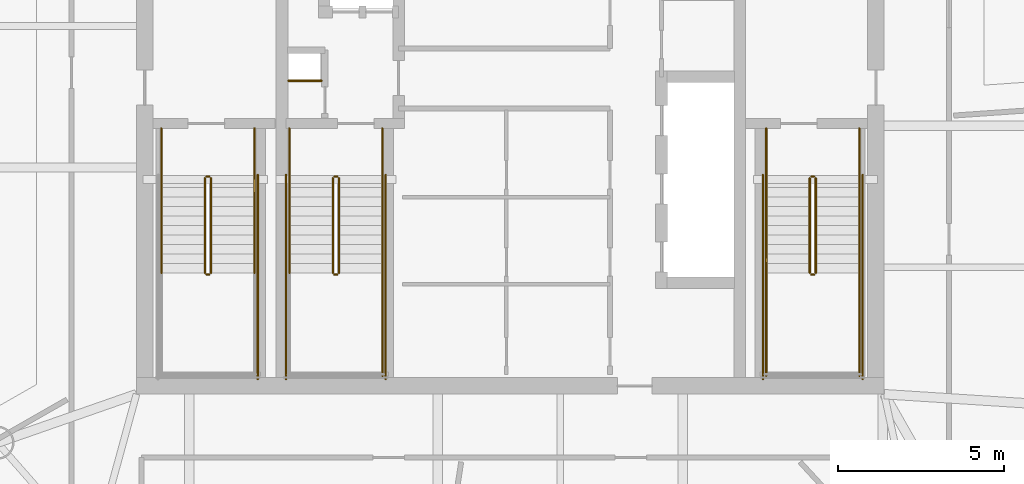
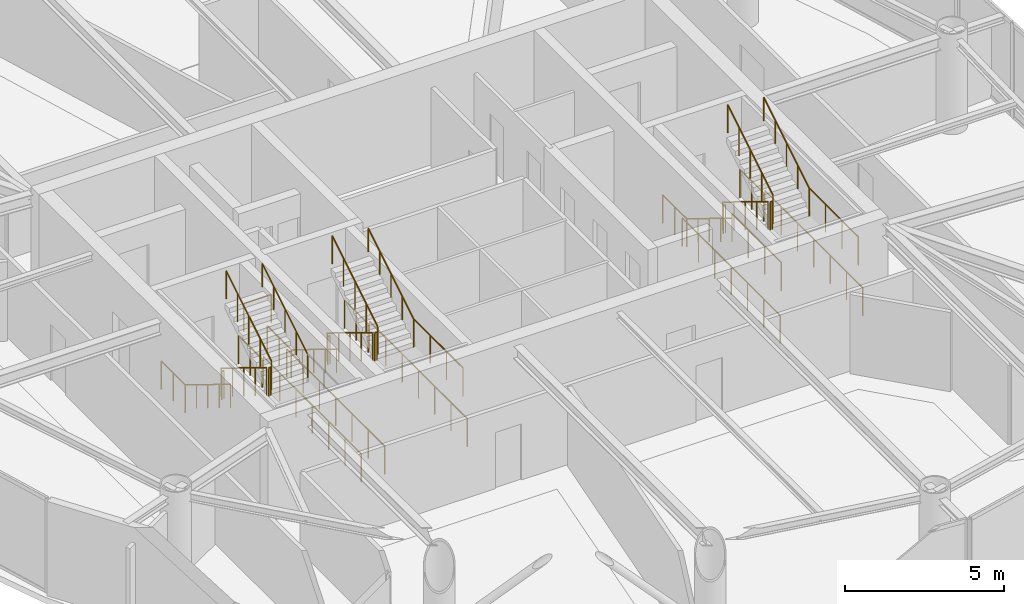
# One storey, part 21 of 23: 33 railings.
"""IFC4 building model written with IfcOpenShell, lengths in metres."""

import ifcopenshell
import ifcopenshell.guid

model = None  # the IFC model being written
_history = None  # IfcOwnerHistory: only IFC2X3 demands one
_inside = {}  # id of a spatial element -> (the spatial element, [elements in it])
_under = {}  # id of a project, library or spatial element -> (it, [spatial elements below it])
_declared = {}  # id of a project -> (the project, [libraries it declares])
_typed = {}  # id of a type object -> (the type object, [elements of that type])
_made_of = {}  # id of a material, layer set ... -> (it, [elements and type objects made of it])


def new_model(schema):
    """Start an empty IFC model of exactly this schema.

    Asked for "IFC4X3", IfcOpenShell would pick the latest addendum, in which some entities
    have other attributes; the version numbers below select the first issue.
    IFC2X3 requires an IfcOwnerHistory on every rooted entity: one is made here for all.
    """
    global model, _history
    if schema == "IFC4X3":
        model = ifcopenshell.file(schema_version=(4, 3, 0, 0))
    else:
        model = ifcopenshell.file(schema=schema)
    _inside.clear()
    _under.clear()
    _declared.clear()
    _typed.clear()
    _made_of.clear()
    _history = None
    if model.schema == "IFC2X3":
        org = make("IfcOrganization", Name="unknown")
        user = make(
            "IfcPersonAndOrganization",
            ThePerson=make("IfcPerson", FamilyName="unknown"),
            TheOrganization=org,
        )
        app = make(
            "IfcApplication",
            ApplicationDeveloper=org,
            Version="unknown",
            ApplicationFullName="unknown",
            ApplicationIdentifier="unknown",
        )
        _history = make(
            "IfcOwnerHistory",
            OwningUser=user,
            OwningApplication=app,
            ChangeAction="ADDED",
            CreationDate=0,
        )
    return model


def make(cls, **values):
    """One entity of the class cls with the attributes given. An attribute that is None is left unset."""
    return model.create_entity(
        cls, **{name: value for name, value in values.items() if value is not None}
    )


def rooted(cls, **values):
    """An entity with a GlobalId (a new one), such as an element, a storey or a relation."""
    return make(cls, GlobalId=ifcopenshell.guid.new(), OwnerHistory=_history, **values)


def si_unit(unit_type, name, prefix=None):
    """IfcSIUnit, for example si_unit("LENGTHUNIT", "METRE", prefix="MILLI")."""
    return make("IfcSIUnit", UnitType=unit_type, Prefix=prefix, Name=name)


def assignment(units):
    """IfcUnitAssignment: the units of a project."""
    return None if units is None else make("IfcUnitAssignment", Units=units)


def point(xyz):
    """IfcCartesianPoint."""
    return None if xyz is None else make("IfcCartesianPoint", Coordinates=xyz)


def direction(xyz):
    """IfcDirection."""
    return None if xyz is None else make("IfcDirection", DirectionRatios=xyz)


def frame(location, z_axis=None, x_axis=None):
    """IfcAxis2Placement3D, a coordinate frame: its origin and axes. An axis left out is left unset."""
    return make(
        "IfcAxis2Placement3D",
        Location=point(location),
        Axis=direction(z_axis),
        RefDirection=direction(x_axis),
    )


def frame_2d(location, x_axis=None):
    """IfcAxis2Placement2D, a coordinate frame in the plane: its origin and x axis."""
    return make(
        "IfcAxis2Placement2D", Location=point(location), RefDirection=direction(x_axis)
    )


def origin():
    """The frame at (0, 0, 0) with its axes left unset."""
    return frame((0.0, 0.0, 0.0))


def origin_2d():
    """The frame at (0, 0) in the plane with its x axis left unset."""
    return frame_2d((0.0, 0.0))


def place(relative_to, where):
    """IfcLocalPlacement: puts the frame where relative to a parent placement (None: the world)."""
    return make(
        "IfcLocalPlacement", PlacementRelTo=relative_to, RelativePlacement=where
    )


def context(
    kind, dimensions, precision=None, world=None, true_north=None, identifier=None
):
    """IfcGeometricRepresentationContext, for example the 3D "Model" context."""
    return make(
        "IfcGeometricRepresentationContext",
        ContextIdentifier=identifier,
        ContextType=kind,
        CoordinateSpaceDimension=dimensions,
        Precision=precision,
        WorldCoordinateSystem=world,
        TrueNorth=true_north,
    )


def subcontext(parent, identifier, kind, view, scale=None):
    """IfcGeometricRepresentationSubContext, for example "Body" below "Model"."""
    return make(
        "IfcGeometricRepresentationSubContext",
        ContextIdentifier=identifier,
        ContextType=kind,
        ParentContext=parent,
        TargetScale=scale,
        TargetView=view,
    )


def project(units=None, contexts=None):
    """IfcProject with its units and contexts."""
    return rooted(
        "IfcProject",
        Name="project",
        RepresentationContexts=contexts,
        UnitsInContext=assignment(units),
    )


def spatial(cls, under=None, at=None, **own):
    """A site, building, storey or space (cls), placed at a placement, below another one or the project."""
    s = rooted(cls, ObjectPlacement=at, **own)
    if under is not None:
        _under.setdefault(under.id(), (under, []))[1].append(s)
    return s


def profile(cls, at=None, kind="AREA", **sizes):
    """A parametric profile (cls). Its sizes go by their IFC names, for example OverallWidth=200.0."""
    return make(cls, ProfileType=kind, Position=at, **sizes)


def circle(**sizes):
    """IfcCircleProfileDef."""
    return profile("IfcCircleProfileDef", **sizes)


def extrude(swept, where, along, depth):
    """IfcExtrudedAreaSolid: the profile swept, set in the frame where, extruded along a direction by depth."""
    return make(
        "IfcExtrudedAreaSolid",
        SweptArea=swept,
        Position=where,
        ExtrudedDirection=direction(along),
        Depth=depth,
    )


def shape(context_of_items, identifier, shape_type, items):
    """IfcShapeRepresentation: the items that make up one representation, for example the "Body"."""
    return make(
        "IfcShapeRepresentation",
        ContextOfItems=context_of_items,
        RepresentationIdentifier=identifier,
        RepresentationType=shape_type,
        Items=items,
    )


def material(Name=None, Category=None):
    """IfcMaterial."""
    return make("IfcMaterial", Name=Name, Category=Category)


def made_of(thing, what):
    """Note that an element or type object is made of a material, layer set ...; save() writes the relation."""
    if what is not None:
        _made_of.setdefault(what.id(), (what, []))[1].append(thing)
    return thing


def type_object(cls, material=None, **own):
    """A type object (cls), such as IfcWallType, which elements share."""
    return made_of(rooted(cls, **own), material)


def element(
    cls,
    number,
    at=None,
    inside=None,
    cuts=None,
    type_object=None,
    material=None,
    context=None,
    identifier="Body",
    shape_type=None,
    held_by="IfcProductDefinitionShape",
    body=None,
    shapes=None,
    **own,
):
    """One element of the class cls, such as IfcWall. Its Tag is "e" and its number.

    at: its placement. inside: the storey or other place that contains it. cuts: it is an
    opening in that element (IfcRelVoidsElement). A single representation is given by context,
    identifier, shape_type and body (its items); several are given by shapes. held_by: the class
    of the entity that holds the representations. save() writes the other relations.
    """
    e = rooted(cls, Tag="e%d" % number, ObjectPlacement=at, **own)
    if body is not None:
        shapes = [shape(context, identifier, shape_type, body)]
    if shapes is not None:
        e.Representation = make(held_by, Representations=shapes)
    if inside is not None:
        _inside.setdefault(inside.id(), (inside, []))[1].append(e)
    if cuts is not None:
        rooted(
            "IfcRelVoidsElement", RelatingBuildingElement=cuts, RelatedOpeningElement=e
        )
    if type_object is not None:
        _typed.setdefault(type_object.id(), (type_object, []))[1].append(e)
    return made_of(e, material)


def aggregate(whole, parts):
    """IfcRelAggregates: a whole, such as a stair, and the parts it consists of."""
    return rooted("IfcRelAggregates", RelatingObject=whole, RelatedObjects=parts)


def save(model, path):
    """Write the relations noted so far, then the file.

    IfcRelAggregates (storeys below a building ...), IfcRelContainedInSpatialStructure (elements
    in a storey), IfcRelDefinesByType, IfcRelAssociatesMaterial and IfcRelDeclares: one each for
    every whole, place, type object, material and project.
    """
    for whole, parts in _under.values():
        aggregate(whole, parts)
    for where, things in _inside.values():
        rooted(
            "IfcRelContainedInSpatialStructure",
            RelatedElements=things,
            RelatingStructure=where,
        )
    for kind, things in _typed.values():
        rooted("IfcRelDefinesByType", RelatedObjects=things, RelatingType=kind)
    for what, things in _made_of.values():
        rooted("IfcRelAssociatesMaterial", RelatedObjects=things, RelatingMaterial=what)
    for by, libraries in _declared.values():
        rooted("IfcRelDeclares", RelatingContext=by, RelatedDefinitions=libraries)
    model.write(path)


model = new_model("IFC4")

# Units and contexts
model_context = context("Model", 3, precision=1e-05, world=origin(), true_north=direction((0.0, 1.0)))
body_context = subcontext(model_context, "Body", "Model", "MODEL_VIEW")
ifc_project = project(units=[si_unit("LENGTHUNIT", "METRE"), si_unit("AREAUNIT", "SQUARE_METRE"), si_unit("VOLUMEUNIT", "CUBIC_METRE"), si_unit("PLANEANGLEUNIT", "RADIAN"), si_unit("MASSUNIT", "GRAM", prefix="KILO")], contexts=[model_context])

# Site, building, storey
site_placement = place(None, origin())
site = spatial("IfcSite", under=ifc_project, at=site_placement, CompositionType="ELEMENT")
building_placement = place(site_placement, origin())
building = spatial("IfcBuilding", under=site, at=building_placement, Name="Bramvorn Convention Spire", CompositionType="ELEMENT")
storey_placement = place(building_placement, frame((0.0, 0.0, 295.949951171875)))
storey = spatial("IfcBuildingStorey", under=building, at=storey_placement, Name="L75", CompositionType="ELEMENT", Elevation=295.949951171875)

# Railings
ifc_material_1 = material(Name="Painted Steel Balustrade & Guardrail", Category="steel")
railing_type_1 = type_object("IfcRailingType", Name="RL-STAIR-GUARD-1100", PredefinedType="GUARDRAIL", material=ifc_material_1)
railing_1_placement = place(storey_placement, frame((28.81005859375, 25.050048828125, 0.175048828125)))
element("IfcRailing", 1, at=railing_1_placement, inside=storey, type_object=railing_type_1, Name="L75 ST1 stair guard 1", PredefinedType="GUARDRAIL", context=body_context, shape_type="SweptSolid", body=[
    extrude(circle(Radius=0.02392578125, at=origin_2d()), frame((0.0, 0.0, 1.076171875), z_axis=(0.0, -0.852179220489, 0.52325001306), x_axis=(1.0, 0.0, 0.0)), (0.0, 0.0, 1.0), 3.344482421875),
    extrude(circle(Radius=0.02099609375, at=origin_2d()), origin(), (0.0, 0.0, 1.0), 1.052001953125),
    extrude(circle(Radius=0.02099609375, at=origin_2d()), frame((0.0, -0.71240234375, 0.4375)), (0.0, 0.0, 1.0), 1.052001953125),
    extrude(circle(Radius=0.02099609375, at=origin_2d()), frame((0.0, -1.425048828125, 0.875)), (0.0, 0.0, 1.0), 1.052001953125),
    extrude(circle(Radius=0.02099609375, at=origin_2d()), frame((0.0, -2.1376953125, 1.3125)), (0.0, 0.0, 1.0), 1.052001953125),
    extrude(circle(Radius=0.02099609375, at=origin_2d()), frame((0.0, -2.85009765625, 1.75)), (0.0, 0.0, 1.0), 1.052001953125),
])
railing_2_placement = place(storey_placement, frame((28.860107421875, 22.14990234375, 1.925048828125)))
element("IfcRailing", 2, at=railing_2_placement, inside=storey, type_object=railing_type_1, Name="L75 ST1 stair guard 2", PredefinedType="GUARDRAIL", context=body_context, shape_type="SweptSolid", body=[
    extrude(circle(Radius=0.02392578125, at=origin_2d()), frame((0.0, 0.0, 1.076171875), z_axis=(1.0, 0.0, 0.0), x_axis=(0.0, 1.0, 0.0)), (0.0, 0.0, 1.0), 0.079833984375),
    extrude(circle(Radius=0.02099609375, at=origin_2d()), origin(), (0.0, 0.0, 1.0), 1.052001953125),
    extrude(circle(Radius=0.02099609375, at=origin_2d()), frame((0.079833984375, 0.0, 0.0)), (0.0, 0.0, 1.0), 1.052001953125),
])
railing_3_placement = place(storey_placement, frame((28.989990234375, 22.199951171875, 2.10009765625)))
element("IfcRailing", 3, at=railing_3_placement, inside=storey, type_object=railing_type_1, Name="L75 ST1 stair guard 6", PredefinedType="GUARDRAIL", context=body_context, shape_type="SweptSolid", body=[
    extrude(circle(Radius=0.02392578125, at=origin_2d()), frame((0.0, 0.0, 1.076171875), z_axis=(0.0, 0.852179220489, 0.52325001306), x_axis=(-1.0, 0.0, 0.0)), (0.0, 0.0, 1.0), 3.344482421875),
    extrude(circle(Radius=0.02099609375, at=origin_2d()), origin(), (0.0, 0.0, 1.0), 1.052001953125),
    extrude(circle(Radius=0.02099609375, at=origin_2d()), frame((0.0, 0.71240234375, 0.4375)), (0.0, 0.0, 1.0), 1.052001953125),
    extrude(circle(Radius=0.02099609375, at=origin_2d()), frame((0.0, 1.425048828125, 0.875)), (0.0, 0.0, 1.0), 1.052001953125),
    extrude(circle(Radius=0.02099609375, at=origin_2d()), frame((0.0, 2.1376953125, 1.3125)), (0.0, 0.0, 1.0), 1.052001953125),
    extrude(circle(Radius=0.02099609375, at=origin_2d()), frame((0.0, 2.85009765625, 1.75)), (0.0, 0.0, 1.0), 1.052001953125),
])
railing_4_placement = place(storey_placement, frame((28.860107421875, 25.10009765625, 0.0)))
element("IfcRailing", 4, at=railing_4_placement, inside=storey, type_object=railing_type_1, Name="L75 ST1 stair guard 7", PredefinedType="GUARDRAIL", context=body_context, shape_type="SweptSolid", body=[
    extrude(circle(Radius=0.02392578125, at=origin_2d()), frame((0.0, 0.0, 1.076171875), z_axis=(1.0, 0.0, 0.0), x_axis=(0.0, 1.0, 0.0)), (0.0, 0.0, 1.0), 0.079833984375),
    extrude(circle(Radius=0.02099609375, at=origin_2d()), origin(), (0.0, 0.0, 1.0), 1.052001953125),
    extrude(circle(Radius=0.02099609375, at=origin_2d()), frame((0.079833984375, 0.0, 0.0)), (0.0, 0.0, 1.0), 1.052001953125),
])
for number, where, name in (
    (5, (27.5, 26.550048828125, 0.0), "L75 ST1 stair guard 8"),
    (6, (30.300048828125, 26.550048828125, 0.0), "L75 ST1 stair guard 9"),
):
    element("IfcRailing", number, at=place(storey_placement, frame(where)), inside=storey, type_object=railing_type_1, Name=name, PredefinedType="GUARDRAIL", context=body_context, shape_type="SweptSolid", body=[
        extrude(circle(Radius=0.02392578125, at=origin_2d()), frame((0.0, 0.0, 1.076171875), z_axis=(0.0, -1.0, 0.0), x_axis=(1.0, 0.0, 0.0)), (0.0, 0.0, 1.0), 1.5),
        extrude(circle(Radius=0.02099609375, at=origin_2d()), origin(), (0.0, 0.0, 1.0), 1.052001953125),
        extrude(circle(Radius=0.02099609375, at=origin_2d()), frame((0.0, -0.75, 0.0)), (0.0, 0.0, 1.0), 1.052001953125),
        extrude(circle(Radius=0.02099609375, at=origin_2d()), frame((0.0, -1.5, 0.0)), (0.0, 0.0, 1.0), 1.052001953125),
    ])
railing_5_placement = place(storey_placement, frame((30.39990234375, 25.14990234375, 0.0)))
element("IfcRailing", 7, at=railing_5_placement, inside=storey, type_object=railing_type_1, Name="L75 ST1 stair guard 11", PredefinedType="GUARDRAIL", context=body_context, shape_type="SweptSolid", body=[
    extrude(circle(Radius=0.02392578125, at=origin_2d()), frame((0.0, 0.0, 1.076171875), z_axis=(0.0, -1.0, 0.0), x_axis=(1.0, 0.0, 0.0)), (0.0, 0.0, 1.0), 6.14990234375),
    extrude(circle(Radius=0.02099609375, at=origin_2d()), origin(), (0.0, 0.0, 1.0), 1.052001953125),
    extrude(circle(Radius=0.02099609375, at=origin_2d()), frame((0.0, -1.02490234375, 0.0)), (0.0, 0.0, 1.0), 1.052001953125),
    extrude(circle(Radius=0.02099609375, at=origin_2d()), frame((0.0, -2.050048828125, 0.0)), (0.0, 0.0, 1.0), 1.052001953125),
    extrude(circle(Radius=0.02099609375, at=origin_2d()), frame((0.0, -3.074951171875, 0.0)), (0.0, 0.0, 1.0), 1.052001953125),
    extrude(circle(Radius=0.02099609375, at=origin_2d()), frame((0.0, -4.099853515625, 0.0)), (0.0, 0.0, 1.0), 1.052001953125),
    extrude(circle(Radius=0.02099609375, at=origin_2d()), frame((0.0, -5.125, 0.0)), (0.0, 0.0, 1.0), 1.052001953125),
    extrude(circle(Radius=0.02099609375, at=origin_2d()), frame((0.0, -6.14990234375, 0.0)), (0.0, 0.0, 1.0), 1.052001953125),
])
railing_6_placement = place(storey_placement, frame((47.010009765625, 25.050048828125, 0.175048828125)))
element("IfcRailing", 8, at=railing_6_placement, inside=storey, type_object=railing_type_1, Name="L75 ST2 stair guard 1", PredefinedType="GUARDRAIL", context=body_context, shape_type="SweptSolid", body=[
    extrude(circle(Radius=0.02392578125, at=origin_2d()), frame((0.0, 0.0, 1.076171875), z_axis=(0.0, -0.852179220489, 0.52325001306), x_axis=(1.0, 0.0, 0.0)), (0.0, 0.0, 1.0), 3.344482421875),
    extrude(circle(Radius=0.02099609375, at=origin_2d()), origin(), (0.0, 0.0, 1.0), 1.052001953125),
    extrude(circle(Radius=0.02099609375, at=origin_2d()), frame((0.0, -0.71240234375, 0.4375)), (0.0, 0.0, 1.0), 1.052001953125),
    extrude(circle(Radius=0.02099609375, at=origin_2d()), frame((0.0, -1.425048828125, 0.875)), (0.0, 0.0, 1.0), 1.052001953125),
    extrude(circle(Radius=0.02099609375, at=origin_2d()), frame((0.0, -2.1376953125, 1.3125)), (0.0, 0.0, 1.0), 1.052001953125),
    extrude(circle(Radius=0.02099609375, at=origin_2d()), frame((0.0, -2.85009765625, 1.75)), (0.0, 0.0, 1.0), 1.052001953125),
])
railing_7_placement = place(storey_placement, frame((47.06005859375, 22.14990234375, 1.925048828125)))
element("IfcRailing", 9, at=railing_7_placement, inside=storey, type_object=railing_type_1, Name="L75 ST2 stair guard 2", PredefinedType="GUARDRAIL", context=body_context, shape_type="SweptSolid", body=[
    extrude(circle(Radius=0.02392578125, at=origin_2d()), frame((0.0, 0.0, 1.076171875), z_axis=(1.0, 0.0, 0.0), x_axis=(0.0, 1.0, 0.0)), (0.0, 0.0, 1.0), 0.079833984375),
    extrude(circle(Radius=0.02099609375, at=origin_2d()), origin(), (0.0, 0.0, 1.0), 1.052001953125),
    extrude(circle(Radius=0.02099609375, at=origin_2d()), frame((0.079833984375, 0.0, 0.0)), (0.0, 0.0, 1.0), 1.052001953125),
])
for number, where, name in (
    (10, (45.699951171875, 22.199951171875, 1.925048828125), "L75 ST2 stair guard 3"),
    (11, (48.5, 22.199951171875, 1.925048828125), "L75 ST2 stair guard 4"),
):
    element("IfcRailing", number, at=place(storey_placement, frame(where)), inside=storey, type_object=railing_type_1, Name=name, PredefinedType="GUARDRAIL", context=body_context, shape_type="SweptSolid", body=[
        extrude(circle(Radius=0.02392578125, at=origin_2d()), frame((0.0, 0.0, 1.076171875), z_axis=(0.0, -1.0, 0.0), x_axis=(1.0, 0.0, 0.0)), (0.0, 0.0, 1.0), 3.099853515625),
        extrude(circle(Radius=0.02099609375, at=origin_2d()), origin(), (0.0, 0.0, 1.0), 1.052001953125),
        extrude(circle(Radius=0.02099609375, at=origin_2d()), frame((0.0, -1.033203125, 0.0)), (0.0, 0.0, 1.0), 1.052001953125),
        extrude(circle(Radius=0.02099609375, at=origin_2d()), frame((0.0, -2.066650390625, 0.0)), (0.0, 0.0, 1.0), 1.052001953125),
        extrude(circle(Radius=0.02099609375, at=origin_2d()), frame((0.0, -3.099853515625, 0.0)), (0.0, 0.0, 1.0), 1.052001953125),
    ])
railing_8_placement = place(storey_placement, frame((47.18994140625, 22.199951171875, 2.10009765625)))
element("IfcRailing", 12, at=railing_8_placement, inside=storey, type_object=railing_type_1, Name="L75 ST2 stair guard 6", PredefinedType="GUARDRAIL", context=body_context, shape_type="SweptSolid", body=[
    extrude(circle(Radius=0.02392578125, at=origin_2d()), frame((0.0, 0.0, 1.076171875), z_axis=(0.0, 0.852179220489, 0.52325001306), x_axis=(-1.0, 0.0, 0.0)), (0.0, 0.0, 1.0), 3.344482421875),
    extrude(circle(Radius=0.02099609375, at=origin_2d()), origin(), (0.0, 0.0, 1.0), 1.052001953125),
    extrude(circle(Radius=0.02099609375, at=origin_2d()), frame((0.0, 0.71240234375, 0.4375)), (0.0, 0.0, 1.0), 1.052001953125),
    extrude(circle(Radius=0.02099609375, at=origin_2d()), frame((0.0, 1.425048828125, 0.875)), (0.0, 0.0, 1.0), 1.052001953125),
    extrude(circle(Radius=0.02099609375, at=origin_2d()), frame((0.0, 2.1376953125, 1.3125)), (0.0, 0.0, 1.0), 1.052001953125),
    extrude(circle(Radius=0.02099609375, at=origin_2d()), frame((0.0, 2.85009765625, 1.75)), (0.0, 0.0, 1.0), 1.052001953125),
])
railing_9_placement = place(storey_placement, frame((47.06005859375, 25.10009765625, 0.0)))
element("IfcRailing", 13, at=railing_9_placement, inside=storey, type_object=railing_type_1, Name="L75 ST2 stair guard 7", PredefinedType="GUARDRAIL", context=body_context, shape_type="SweptSolid", body=[
    extrude(circle(Radius=0.02392578125, at=origin_2d()), frame((0.0, 0.0, 1.076171875), z_axis=(1.0, 0.0, 0.0), x_axis=(0.0, 1.0, 0.0)), (0.0, 0.0, 1.0), 0.079833984375),
    extrude(circle(Radius=0.02099609375, at=origin_2d()), origin(), (0.0, 0.0, 1.0), 1.052001953125),
    extrude(circle(Radius=0.02099609375, at=origin_2d()), frame((0.079833984375, 0.0, 0.0)), (0.0, 0.0, 1.0), 1.052001953125),
])
for number, where, name in (
    (14, (45.699951171875, 26.550048828125, 0.0), "L75 ST2 stair guard 8"),
    (15, (48.5, 26.550048828125, 0.0), "L75 ST2 stair guard 9"),
):
    element("IfcRailing", number, at=place(storey_placement, frame(where)), inside=storey, type_object=railing_type_1, Name=name, PredefinedType="GUARDRAIL", context=body_context, shape_type="SweptSolid", body=[
        extrude(circle(Radius=0.02392578125, at=origin_2d()), frame((0.0, 0.0, 1.076171875), z_axis=(0.0, -1.0, 0.0), x_axis=(1.0, 0.0, 0.0)), (0.0, 0.0, 1.0), 1.5),
        extrude(circle(Radius=0.02099609375, at=origin_2d()), origin(), (0.0, 0.0, 1.0), 1.052001953125),
        extrude(circle(Radius=0.02099609375, at=origin_2d()), frame((0.0, -0.75, 0.0)), (0.0, 0.0, 1.0), 1.052001953125),
        extrude(circle(Radius=0.02099609375, at=origin_2d()), frame((0.0, -1.5, 0.0)), (0.0, 0.0, 1.0), 1.052001953125),
    ])
for number, where, name in (
    (16, (45.60009765625, 25.14990234375, 0.0), "L75 ST2 stair guard 10"),
    (17, (48.60009765625, 25.14990234375, 0.0), "L75 ST2 stair guard 11"),
):
    element("IfcRailing", number, at=place(storey_placement, frame(where)), inside=storey, type_object=railing_type_1, Name=name, PredefinedType="GUARDRAIL", context=body_context, shape_type="SweptSolid", body=[
        extrude(circle(Radius=0.02392578125, at=origin_2d()), frame((0.0, 0.0, 1.076171875), z_axis=(0.0, -1.0, 0.0), x_axis=(1.0, 0.0, 0.0)), (0.0, 0.0, 1.0), 6.14990234375),
        extrude(circle(Radius=0.02099609375, at=origin_2d()), origin(), (0.0, 0.0, 1.0), 1.052001953125),
        extrude(circle(Radius=0.02099609375, at=origin_2d()), frame((0.0, -1.02490234375, 0.0)), (0.0, 0.0, 1.0), 1.052001953125),
        extrude(circle(Radius=0.02099609375, at=origin_2d()), frame((0.0, -2.050048828125, 0.0)), (0.0, 0.0, 1.0), 1.052001953125),
        extrude(circle(Radius=0.02099609375, at=origin_2d()), frame((0.0, -3.074951171875, 0.0)), (0.0, 0.0, 1.0), 1.052001953125),
        extrude(circle(Radius=0.02099609375, at=origin_2d()), frame((0.0, -4.099853515625, 0.0)), (0.0, 0.0, 1.0), 1.052001953125),
        extrude(circle(Radius=0.02099609375, at=origin_2d()), frame((0.0, -5.125, 0.0)), (0.0, 0.0, 1.0), 1.052001953125),
        extrude(circle(Radius=0.02099609375, at=origin_2d()), frame((0.0, -6.14990234375, 0.0)), (0.0, 0.0, 1.0), 1.052001953125),
    ])
railing_10_placement = place(storey_placement, frame((32.659912109375, 25.050048828125, 0.175048828125)))
element("IfcRailing", 18, at=railing_10_placement, inside=storey, type_object=railing_type_1, Name="L75 ST3 stair guard 1", PredefinedType="GUARDRAIL", context=body_context, shape_type="SweptSolid", body=[
    extrude(circle(Radius=0.02392578125, at=origin_2d()), frame((0.0, 0.0, 1.076171875), z_axis=(0.0, -0.852179220489, 0.52325001306), x_axis=(1.0, 0.0, 0.0)), (0.0, 0.0, 1.0), 3.344482421875),
    extrude(circle(Radius=0.02099609375, at=origin_2d()), origin(), (0.0, 0.0, 1.0), 1.052001953125),
    extrude(circle(Radius=0.02099609375, at=origin_2d()), frame((0.0, -0.71240234375, 0.4375)), (0.0, 0.0, 1.0), 1.052001953125),
    extrude(circle(Radius=0.02099609375, at=origin_2d()), frame((0.0, -1.425048828125, 0.875)), (0.0, 0.0, 1.0), 1.052001953125),
    extrude(circle(Radius=0.02099609375, at=origin_2d()), frame((0.0, -2.1376953125, 1.3125)), (0.0, 0.0, 1.0), 1.052001953125),
    extrude(circle(Radius=0.02099609375, at=origin_2d()), frame((0.0, -2.85009765625, 1.75)), (0.0, 0.0, 1.0), 1.052001953125),
])
railing_11_placement = place(storey_placement, frame((32.7099609375, 22.14990234375, 1.925048828125)))
element("IfcRailing", 19, at=railing_11_placement, inside=storey, type_object=railing_type_1, Name="L75 ST3 stair guard 2", PredefinedType="GUARDRAIL", context=body_context, shape_type="SweptSolid", body=[
    extrude(circle(Radius=0.02392578125, at=origin_2d()), frame((0.0, 0.0, 1.076171875), z_axis=(1.0, 0.0, 0.0), x_axis=(0.0, 1.0, 0.0)), (0.0, 0.0, 1.0), 0.080078125),
    extrude(circle(Radius=0.02099609375, at=origin_2d()), origin(), (0.0, 0.0, 1.0), 1.052001953125),
    extrude(circle(Radius=0.02099609375, at=origin_2d()), frame((0.080078125, 0.0, 0.0)), (0.0, 0.0, 1.0), 1.052001953125),
])
railing_12_placement = place(storey_placement, frame((34.14990234375, 22.199951171875, 1.925048828125)))
element("IfcRailing", 20, at=railing_12_placement, inside=storey, type_object=railing_type_1, Name="L75 ST3 stair guard 4", PredefinedType="GUARDRAIL", context=body_context, shape_type="SweptSolid", body=[
    extrude(circle(Radius=0.02392578125, at=origin_2d()), frame((0.0, 0.0, 1.076171875), z_axis=(0.0, -1.0, 0.0), x_axis=(1.0, 0.0, 0.0)), (0.0, 0.0, 1.0), 3.099853515625),
    extrude(circle(Radius=0.02099609375, at=origin_2d()), origin(), (0.0, 0.0, 1.0), 1.052001953125),
    extrude(circle(Radius=0.02099609375, at=origin_2d()), frame((0.0, -1.033203125, 0.0)), (0.0, 0.0, 1.0), 1.052001953125),
    extrude(circle(Radius=0.02099609375, at=origin_2d()), frame((0.0, -2.066650390625, 0.0)), (0.0, 0.0, 1.0), 1.052001953125),
    extrude(circle(Radius=0.02099609375, at=origin_2d()), frame((0.0, -3.099853515625, 0.0)), (0.0, 0.0, 1.0), 1.052001953125),
])
railing_13_placement = place(storey_placement, frame((32.840087890625, 22.199951171875, 2.10009765625)))
element("IfcRailing", 21, at=railing_13_placement, inside=storey, type_object=railing_type_1, Name="L75 ST3 stair guard 6", PredefinedType="GUARDRAIL", context=body_context, shape_type="SweptSolid", body=[
    extrude(circle(Radius=0.02392578125, at=origin_2d()), frame((0.0, 0.0, 1.076171875), z_axis=(0.0, 0.852179220489, 0.52325001306), x_axis=(-1.0, 0.0, 0.0)), (0.0, 0.0, 1.0), 3.344482421875),
    extrude(circle(Radius=0.02099609375, at=origin_2d()), origin(), (0.0, 0.0, 1.0), 1.052001953125),
    extrude(circle(Radius=0.02099609375, at=origin_2d()), frame((0.0, 0.71240234375, 0.4375)), (0.0, 0.0, 1.0), 1.052001953125),
    extrude(circle(Radius=0.02099609375, at=origin_2d()), frame((0.0, 1.425048828125, 0.875)), (0.0, 0.0, 1.0), 1.052001953125),
    extrude(circle(Radius=0.02099609375, at=origin_2d()), frame((0.0, 2.1376953125, 1.3125)), (0.0, 0.0, 1.0), 1.052001953125),
    extrude(circle(Radius=0.02099609375, at=origin_2d()), frame((0.0, 2.85009765625, 1.75)), (0.0, 0.0, 1.0), 1.052001953125),
])
railing_14_placement = place(storey_placement, frame((32.7099609375, 25.10009765625, 0.0)))
element("IfcRailing", 22, at=railing_14_placement, inside=storey, type_object=railing_type_1, Name="L75 ST3 stair guard 7", PredefinedType="GUARDRAIL", context=body_context, shape_type="SweptSolid", body=[
    extrude(circle(Radius=0.02392578125, at=origin_2d()), frame((0.0, 0.0, 1.076171875), z_axis=(1.0, 0.0, 0.0), x_axis=(0.0, 1.0, 0.0)), (0.0, 0.0, 1.0), 0.080078125),
    extrude(circle(Radius=0.02099609375, at=origin_2d()), origin(), (0.0, 0.0, 1.0), 1.052001953125),
    extrude(circle(Radius=0.02099609375, at=origin_2d()), frame((0.080078125, 0.0, 0.0)), (0.0, 0.0, 1.0), 1.052001953125),
])
for number, where, name in (
    (23, (31.35009765625, 26.550048828125, 0.0), "L75 ST3 stair guard 8"),
    (24, (34.14990234375, 26.550048828125, 0.0), "L75 ST3 stair guard 9"),
):
    element("IfcRailing", number, at=place(storey_placement, frame(where)), inside=storey, type_object=railing_type_1, Name=name, PredefinedType="GUARDRAIL", context=body_context, shape_type="SweptSolid", body=[
        extrude(circle(Radius=0.02392578125, at=origin_2d()), frame((0.0, 0.0, 1.076171875), z_axis=(0.0, -1.0, 0.0), x_axis=(1.0, 0.0, 0.0)), (0.0, 0.0, 1.0), 1.5),
        extrude(circle(Radius=0.02099609375, at=origin_2d()), origin(), (0.0, 0.0, 1.0), 1.052001953125),
        extrude(circle(Radius=0.02099609375, at=origin_2d()), frame((0.0, -0.75, 0.0)), (0.0, 0.0, 1.0), 1.052001953125),
        extrude(circle(Radius=0.02099609375, at=origin_2d()), frame((0.0, -1.5, 0.0)), (0.0, 0.0, 1.0), 1.052001953125),
    ])
for number, where, name in (
    (25, (31.25, 25.14990234375, 0.0), "L75 ST3 stair guard 10"),
    (26, (34.25, 25.14990234375, 0.0), "L75 ST3 stair guard 11"),
):
    element("IfcRailing", number, at=place(storey_placement, frame(where)), inside=storey, type_object=railing_type_1, Name=name, PredefinedType="GUARDRAIL", context=body_context, shape_type="SweptSolid", body=[
        extrude(circle(Radius=0.02392578125, at=origin_2d()), frame((0.0, 0.0, 1.076171875), z_axis=(0.0, -1.0, 0.0), x_axis=(1.0, 0.0, 0.0)), (0.0, 0.0, 1.0), 6.14990234375),
        extrude(circle(Radius=0.02099609375, at=origin_2d()), origin(), (0.0, 0.0, 1.0), 1.052001953125),
        extrude(circle(Radius=0.02099609375, at=origin_2d()), frame((0.0, -1.02490234375, 0.0)), (0.0, 0.0, 1.0), 1.052001953125),
        extrude(circle(Radius=0.02099609375, at=origin_2d()), frame((0.0, -2.050048828125, 0.0)), (0.0, 0.0, 1.0), 1.052001953125),
        extrude(circle(Radius=0.02099609375, at=origin_2d()), frame((0.0, -3.074951171875, 0.0)), (0.0, 0.0, 1.0), 1.052001953125),
        extrude(circle(Radius=0.02099609375, at=origin_2d()), frame((0.0, -4.099853515625, 0.0)), (0.0, 0.0, 1.0), 1.052001953125),
        extrude(circle(Radius=0.02099609375, at=origin_2d()), frame((0.0, -5.125, 0.0)), (0.0, 0.0, 1.0), 1.052001953125),
        extrude(circle(Radius=0.02099609375, at=origin_2d()), frame((0.0, -6.14990234375, 0.0)), (0.0, 0.0, 1.0), 1.052001953125),
    ])
railing_15_placement = place(storey_placement, frame((31.320068359375, 27.97998046875, 0.0)))
element("IfcRailing", 27, at=railing_15_placement, inside=storey, type_object=railing_type_1, Name="L75 Telecom riser shaft opening safety guardrail", PredefinedType="GUARDRAIL", context=body_context, shape_type="SweptSolid", body=[
    extrude(circle(Radius=0.02392578125, at=origin_2d()), frame((0.0, 0.0, 1.076171875), z_axis=(1.0, 0.0, 0.0), x_axis=(0.0, 1.0, 0.0)), (0.0, 0.0, 1.0), 1.0),
    extrude(circle(Radius=0.02099609375, at=origin_2d()), origin(), (0.0, 0.0, 1.0), 1.052001953125),
    extrude(circle(Radius=0.02099609375, at=origin_2d()), frame((1.0, 0.0, 0.0)), (0.0, 0.0, 1.0), 1.052001953125),
])
ifc_material_2 = material(Name="Brushed Bronze Tubular Handrail", Category="aluminium")
railing_type_2 = type_object("IfcRailingType", Name="RL-STAIR-HR-920", PredefinedType="HANDRAIL", material=ifc_material_2)
railing_16_placement = place(storey_placement, frame((27.5, 25.050048828125, 0.175048828125)))
element("IfcRailing", 28, at=railing_16_placement, inside=storey, type_object=railing_type_2, Name="L75 ST1 stair handrail 1", PredefinedType="HANDRAIL", context=body_context, shape_type="SweptSolid", body=[
    extrude(circle(Radius=0.02392578125, at=origin_2d()), frame((0.0, 0.0, 0.89599609375), z_axis=(0.0, -0.852179220489, 0.52325001306), x_axis=(1.0, 0.0, 0.0)), (0.0, 0.0, 1.0), 3.344482421875),
    extrude(circle(Radius=0.02099609375, at=origin_2d()), origin(), (0.0, 0.0, 1.0), 0.871826171875),
    extrude(circle(Radius=0.02099609375, at=origin_2d()), frame((0.0, -0.71240234375, 0.4375)), (0.0, 0.0, 1.0), 0.871826171875),
    extrude(circle(Radius=0.02099609375, at=origin_2d()), frame((0.0, -1.425048828125, 0.875)), (0.0, 0.0, 1.0), 0.871826171875),
    extrude(circle(Radius=0.02099609375, at=origin_2d()), frame((0.0, -2.1376953125, 1.3125)), (0.0, 0.0, 1.0), 0.871826171875),
    extrude(circle(Radius=0.02099609375, at=origin_2d()), frame((0.0, -2.85009765625, 1.75)), (0.0, 0.0, 1.0), 0.871826171875),
])
railing_17_placement = place(storey_placement, frame((30.300048828125, 22.199951171875, 2.10009765625)))
element("IfcRailing", 29, at=railing_17_placement, inside=storey, type_object=railing_type_2, Name="L75 ST1 stair handrail 2", PredefinedType="HANDRAIL", context=body_context, shape_type="SweptSolid", body=[
    extrude(circle(Radius=0.02392578125, at=origin_2d()), frame((0.0, 0.0, 0.89599609375), z_axis=(0.0, 0.852179220489, 0.52325001306), x_axis=(-1.0, 0.0, 0.0)), (0.0, 0.0, 1.0), 3.344482421875),
    extrude(circle(Radius=0.02099609375, at=origin_2d()), origin(), (0.0, 0.0, 1.0), 0.871826171875),
    extrude(circle(Radius=0.02099609375, at=origin_2d()), frame((0.0, 0.71240234375, 0.4375)), (0.0, 0.0, 1.0), 0.871826171875),
    extrude(circle(Radius=0.02099609375, at=origin_2d()), frame((0.0, 1.425048828125, 0.875)), (0.0, 0.0, 1.0), 0.871826171875),
    extrude(circle(Radius=0.02099609375, at=origin_2d()), frame((0.0, 2.1376953125, 1.3125)), (0.0, 0.0, 1.0), 0.871826171875),
    extrude(circle(Radius=0.02099609375, at=origin_2d()), frame((0.0, 2.85009765625, 1.75)), (0.0, 0.0, 1.0), 0.871826171875),
])
railing_18_placement = place(storey_placement, frame((45.699951171875, 25.050048828125, 0.175048828125)))
element("IfcRailing", 30, at=railing_18_placement, inside=storey, type_object=railing_type_2, Name="L75 ST2 stair handrail 1", PredefinedType="HANDRAIL", context=body_context, shape_type="SweptSolid", body=[
    extrude(circle(Radius=0.02392578125, at=origin_2d()), frame((0.0, 0.0, 0.89599609375), z_axis=(0.0, -0.852179220489, 0.52325001306), x_axis=(1.0, 0.0, 0.0)), (0.0, 0.0, 1.0), 3.344482421875),
    extrude(circle(Radius=0.02099609375, at=origin_2d()), origin(), (0.0, 0.0, 1.0), 0.871826171875),
    extrude(circle(Radius=0.02099609375, at=origin_2d()), frame((0.0, -0.71240234375, 0.4375)), (0.0, 0.0, 1.0), 0.871826171875),
    extrude(circle(Radius=0.02099609375, at=origin_2d()), frame((0.0, -1.425048828125, 0.875)), (0.0, 0.0, 1.0), 0.871826171875),
    extrude(circle(Radius=0.02099609375, at=origin_2d()), frame((0.0, -2.1376953125, 1.3125)), (0.0, 0.0, 1.0), 0.871826171875),
    extrude(circle(Radius=0.02099609375, at=origin_2d()), frame((0.0, -2.85009765625, 1.75)), (0.0, 0.0, 1.0), 0.871826171875),
])
railing_19_placement = place(storey_placement, frame((48.5, 22.199951171875, 2.10009765625)))
element("IfcRailing", 31, at=railing_19_placement, inside=storey, type_object=railing_type_2, Name="L75 ST2 stair handrail 2", PredefinedType="HANDRAIL", context=body_context, shape_type="SweptSolid", body=[
    extrude(circle(Radius=0.02392578125, at=origin_2d()), frame((0.0, 0.0, 0.89599609375), z_axis=(0.0, 0.852179220489, 0.52325001306), x_axis=(-1.0, 0.0, 0.0)), (0.0, 0.0, 1.0), 3.344482421875),
    extrude(circle(Radius=0.02099609375, at=origin_2d()), origin(), (0.0, 0.0, 1.0), 0.871826171875),
    extrude(circle(Radius=0.02099609375, at=origin_2d()), frame((0.0, 0.71240234375, 0.4375)), (0.0, 0.0, 1.0), 0.871826171875),
    extrude(circle(Radius=0.02099609375, at=origin_2d()), frame((0.0, 1.425048828125, 0.875)), (0.0, 0.0, 1.0), 0.871826171875),
    extrude(circle(Radius=0.02099609375, at=origin_2d()), frame((0.0, 2.1376953125, 1.3125)), (0.0, 0.0, 1.0), 0.871826171875),
    extrude(circle(Radius=0.02099609375, at=origin_2d()), frame((0.0, 2.85009765625, 1.75)), (0.0, 0.0, 1.0), 0.871826171875),
])
railing_20_placement = place(storey_placement, frame((31.35009765625, 25.050048828125, 0.175048828125)))
element("IfcRailing", 32, at=railing_20_placement, inside=storey, type_object=railing_type_2, Name="L75 ST3 stair handrail 1", PredefinedType="HANDRAIL", context=body_context, shape_type="SweptSolid", body=[
    extrude(circle(Radius=0.02392578125, at=origin_2d()), frame((0.0, 0.0, 0.89599609375), z_axis=(0.0, -0.852179220489, 0.52325001306), x_axis=(1.0, 0.0, 0.0)), (0.0, 0.0, 1.0), 3.344482421875),
    extrude(circle(Radius=0.02099609375, at=origin_2d()), origin(), (0.0, 0.0, 1.0), 0.871826171875),
    extrude(circle(Radius=0.02099609375, at=origin_2d()), frame((0.0, -0.71240234375, 0.4375)), (0.0, 0.0, 1.0), 0.871826171875),
    extrude(circle(Radius=0.02099609375, at=origin_2d()), frame((0.0, -1.425048828125, 0.875)), (0.0, 0.0, 1.0), 0.871826171875),
    extrude(circle(Radius=0.02099609375, at=origin_2d()), frame((0.0, -2.1376953125, 1.3125)), (0.0, 0.0, 1.0), 0.871826171875),
    extrude(circle(Radius=0.02099609375, at=origin_2d()), frame((0.0, -2.85009765625, 1.75)), (0.0, 0.0, 1.0), 0.871826171875),
])
railing_21_placement = place(storey_placement, frame((34.14990234375, 22.199951171875, 2.10009765625)))
element("IfcRailing", 33, at=railing_21_placement, inside=storey, type_object=railing_type_2, Name="L75 ST3 stair handrail 2", PredefinedType="HANDRAIL", context=body_context, shape_type="SweptSolid", body=[
    extrude(circle(Radius=0.02392578125, at=origin_2d()), frame((0.0, 0.0, 0.89599609375), z_axis=(0.0, 0.852179220489, 0.52325001306), x_axis=(-1.0, 0.0, 0.0)), (0.0, 0.0, 1.0), 3.344482421875),
    extrude(circle(Radius=0.02099609375, at=origin_2d()), origin(), (0.0, 0.0, 1.0), 0.871826171875),
    extrude(circle(Radius=0.02099609375, at=origin_2d()), frame((0.0, 0.71240234375, 0.4375)), (0.0, 0.0, 1.0), 0.871826171875),
    extrude(circle(Radius=0.02099609375, at=origin_2d()), frame((0.0, 1.425048828125, 0.875)), (0.0, 0.0, 1.0), 0.871826171875),
    extrude(circle(Radius=0.02099609375, at=origin_2d()), frame((0.0, 2.1376953125, 1.3125)), (0.0, 0.0, 1.0), 0.871826171875),
    extrude(circle(Radius=0.02099609375, at=origin_2d()), frame((0.0, 2.85009765625, 1.75)), (0.0, 0.0, 1.0), 0.871826171875),
])

save(model, "model.ifc")
